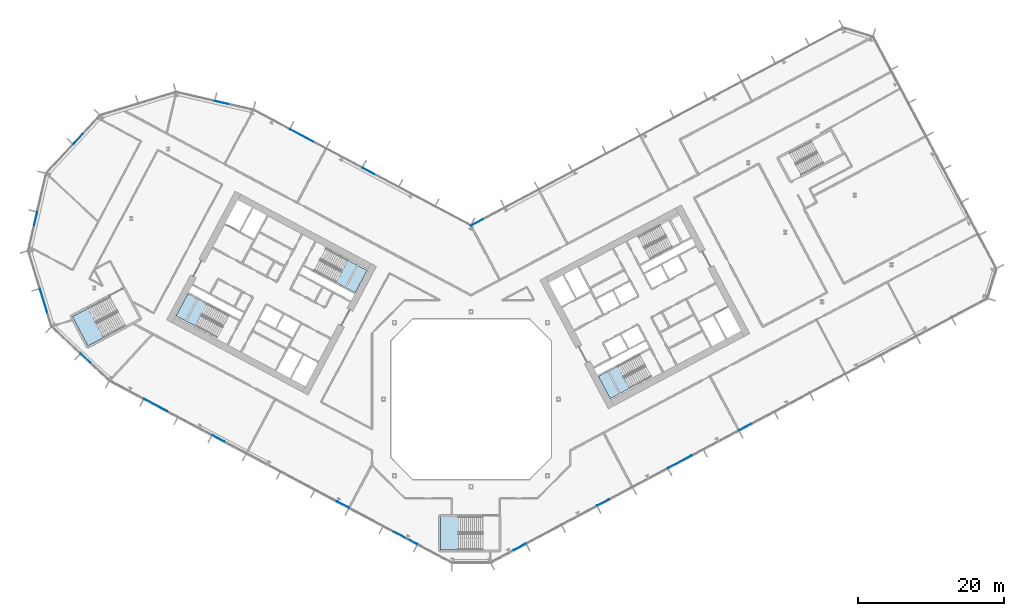
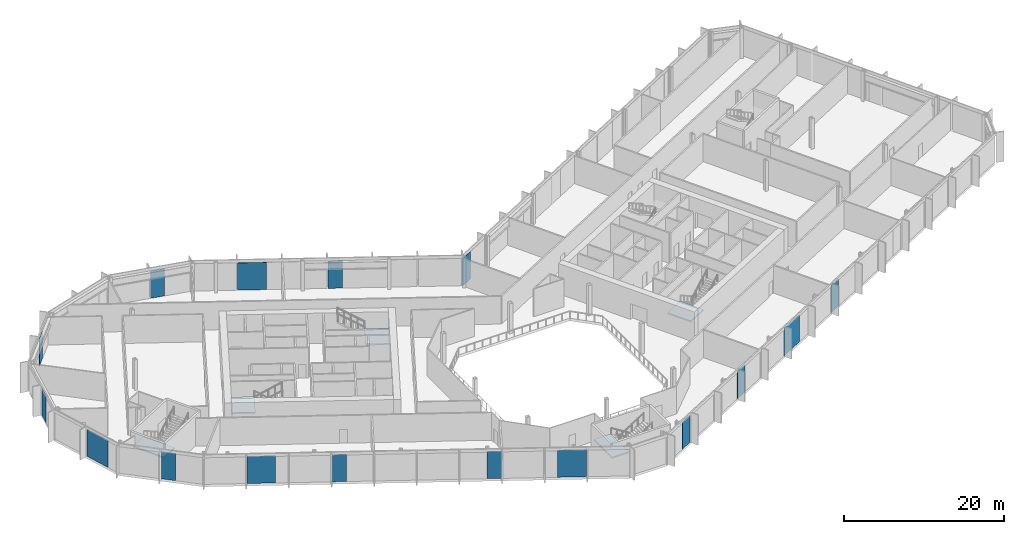
# One storey, part 10 of 31: 16 plates, 5 slabs, 14 elements without a shape of their own.
"""IFC4 building model written with IfcOpenShell, lengths in metres."""

from ifc_helpers import new_model, si_unit, direction, frame, origin, origin_2d, place, context, subcontext, project, spatial, polyline, rectangle, outline, extrude, material, layer, layer_set, type_object, element, aggregate, save


model = new_model("IFC4")

# Units and contexts
model_context = context("Model", 3, precision=1e-05, world=origin(), true_north=direction((0.0, 1.0)))
body_context = subcontext(model_context, "Body", "Model", "MODEL_VIEW")
ifc_project = project(units=[si_unit("LENGTHUNIT", "METRE"), si_unit("AREAUNIT", "SQUARE_METRE"), si_unit("VOLUMEUNIT", "CUBIC_METRE"), si_unit("PLANEANGLEUNIT", "RADIAN"), si_unit("MASSUNIT", "GRAM", prefix="KILO")], contexts=[model_context])

# Site, building, storey
site_placement = place(None, origin())
site = spatial("IfcSite", under=ifc_project, at=site_placement, CompositionType="ELEMENT")
building_placement = place(site_placement, origin())
building = spatial("IfcBuilding", under=site, at=building_placement, Name="Cormorant Relay Tower", CompositionType="ELEMENT")
storey_placement = place(building_placement, frame((0.0, 0.0, 103.0)))
storey = spatial("IfcBuildingStorey", under=building, at=storey_placement, Name="L20", CompositionType="ELEMENT", Elevation=103.0)

# Curtain wall, plates
ifc_material_1 = material(Name="Aluminium 6063-T6 anodised bronze", Category="aluminium")
ifc_layer_1 = layer(ifc_material_1, 0.199951171875)
ifc_layer_set_1 = layer_set([ifc_layer_1], Name="CW1 unitised bronze curtain wall with vertical fins")
curtain_wall_type = type_object("IfcCurtainWallType", Name="CW1 unitised bronze curtain wall with vertical fins", PredefinedType="NOTDEFINED", material=ifc_layer_set_1)
curtain_wall_1_placement = place(storey_placement, origin())
curtain_wall_1 = element("IfcCurtainWall", 1, at=curtain_wall_1_placement, inside=storey, type_object=curtain_wall_type, Name="CW1 curtain wall 2", PredefinedType="NOTDEFINED")
ifc_material_2 = material(Name="Tinted laminated glass", Category="glass")
ifc_layer_2 = layer(ifc_material_2, 0.0400390625)
ifc_layer_set_2 = layer_set([ifc_layer_2], Name="CW1 tinted vision panel 1800 module")
plate_type_1 = type_object("IfcPlateType", Name="CW1 tinted vision panel 1800 module", PredefinedType="CURTAIN_PANEL", material=ifc_layer_set_2)
plate_1_placement = place(storey_placement, frame((6.6640625, -20.26318359375, 0.0), z_axis=(0.0, 0.0, 1.0), x_axis=(0.882947592859, 0.469471562786, 0.0)))
plate_1 = element("IfcPlate", 2, at=plate_1_placement, type_object=plate_type_1, Name="CW1 panel V01", PredefinedType="CURTAIN_PANEL", context=body_context, shape_type="SweptSolid", body=[
    extrude(rectangle(XDim=1.800048828125, YDim=0.0400390625, at=origin_2d()), origin(), (0.0, 0.0, 1.0), 4.14990234375),
])
plate_2_placement = place(storey_placement, frame((18.119140625, -14.172607421875, 0.0), z_axis=(0.0, 0.0, 1.0), x_axis=(0.882947592859, 0.469471562786, 0.0)))
plate_2 = element("IfcPlate", 3, at=plate_2_placement, type_object=plate_type_1, Name="CW1 panel V04", PredefinedType="CURTAIN_PANEL", context=body_context, shape_type="SweptSolid", body=[
    extrude(rectangle(XDim=1.800048828125, YDim=0.0400390625, at=origin_2d()), origin(), (0.0, 0.0, 1.0), 4.14990234375),
])
plate_3_placement = place(storey_placement, frame((37.585693359375, -3.822021484375, 0.0), z_axis=(0.0, 0.0, 1.0), x_axis=(0.882947592859, 0.469471562786, 0.0)))
plate_3 = element("IfcPlate", 4, at=plate_3_placement, type_object=plate_type_1, Name="CW1 panel V08", PredefinedType="CURTAIN_PANEL", context=body_context, shape_type="SweptSolid", body=[
    extrude(rectangle(XDim=1.800048828125, YDim=0.0400390625, at=origin_2d()), origin(), (0.0, 0.0, 1.0), 4.14990234375),
])

# Curtain wall, plate
curtain_wall_2_placement = place(storey_placement, origin())
curtain_wall_2 = element("IfcCurtainWall", 5, at=curtain_wall_2_placement, inside=storey, type_object=curtain_wall_type, Name="CW1 curtain wall 6", PredefinedType="NOTDEFINED")
plate_4_placement = place(storey_placement, frame((0.785400390625, 24.22412109375, 0.0), z_axis=(0.0, 0.0, 1.0), x_axis=(-0.882947592859, -0.469471562786, 0.0)))
plate_4 = element("IfcPlate", 6, at=plate_4_placement, type_object=plate_type_1, Name="CW1 panel V10", PredefinedType="CURTAIN_PANEL", context=body_context, shape_type="SweptSolid", body=[
    extrude(rectangle(XDim=1.800048828125, YDim=0.0400390625, at=origin_2d()), origin(), (0.0, 0.0, 1.0), 4.14990234375),
])
aggregate(curtain_wall_2, [plate_4])

curtain_wall_3_placement = place(storey_placement, origin())
curtain_wall_3 = element("IfcCurtainWall", 7, at=curtain_wall_3_placement, inside=storey, type_object=curtain_wall_type, Name="CW1 curtain wall 7", PredefinedType="NOTDEFINED")
plate_5_placement = place(storey_placement, frame((-14.066650390625, 31.285888671875, 0.0), z_axis=(0.0, 0.0, 1.0), x_axis=(-0.882947592859, 0.469471562786, 0.0)))
plate_5 = element("IfcPlate", 8, at=plate_5_placement, type_object=plate_type_1, Name="CW1 panel V02", PredefinedType="CURTAIN_PANEL", context=body_context, shape_type="SweptSolid", body=[
    extrude(rectangle(XDim=1.800048828125, YDim=0.0400390625, at=origin_2d()), origin(), (0.0, 0.0, 1.0), 4.14990234375),
])

curtain_wall_4_placement = place(storey_placement, origin())
curtain_wall_4 = element("IfcCurtainWall", 9, at=curtain_wall_4_placement, inside=storey, type_object=curtain_wall_type, Name="CW1 curtain wall 8", PredefinedType="NOTDEFINED")
plate_6_placement = place(storey_placement, frame((-34.215087890625, 40.69091796875, 0.0), z_axis=(0.0, 0.0, 1.0), x_axis=(-0.974370064785, 0.224951054344, 0.0)))
plate_6 = element("IfcPlate", 10, at=plate_6_placement, type_object=plate_type_1, Name="CW1 panel V01", PredefinedType="CURTAIN_PANEL", context=body_context, shape_type="SweptSolid", body=[
    extrude(rectangle(XDim=1.800048828125, YDim=0.0400390625, at=origin_2d()), origin(), (0.0, 0.0, 1.0), 4.14990234375),
])
aggregate(curtain_wall_4, [plate_6])

curtain_wall_5_placement = place(storey_placement, origin())
curtain_wall_5 = element("IfcCurtainWall", 11, at=curtain_wall_5_placement, inside=storey, type_object=curtain_wall_type, Name="CW1 curtain wall 10", PredefinedType="NOTDEFINED")
plate_7_placement = place(storey_placement, frame((-53.91748046875, 35.68701171875, 0.0), z_axis=(0.0, 0.0, 1.0), x_axis=(-0.681998360062, -0.731353701619, 0.0)))
plate_7 = element("IfcPlate", 12, at=plate_7_placement, type_object=plate_type_1, Name="CW1 panel V01", PredefinedType="CURTAIN_PANEL", context=body_context, shape_type="SweptSolid", body=[
    extrude(rectangle(XDim=1.800048828125, YDim=0.0400390625, at=origin_2d()), origin(), (0.0, 0.0, 1.0), 4.14990234375),
])
aggregate(curtain_wall_5, [plate_7])

curtain_wall_6_placement = place(storey_placement, origin())
curtain_wall_6 = element("IfcCurtainWall", 13, at=curtain_wall_6_placement, inside=storey, type_object=curtain_wall_type, Name="CW1 curtain wall 11", PredefinedType="NOTDEFINED")
plate_8_placement = place(storey_placement, frame((-59.736083984375, 24.74365234375, 0.0), z_axis=(0.0, 0.0, 1.0), x_axis=(-0.224951054344, -0.974370064785, 0.0)))
plate_8 = element("IfcPlate", 14, at=plate_8_placement, type_object=plate_type_1, Name="CW1 panel V01", PredefinedType="CURTAIN_PANEL", context=body_context, shape_type="SweptSolid", body=[
    extrude(rectangle(XDim=1.800048828125, YDim=0.0400390625, at=origin_2d()), origin(), (0.0, 0.0, 1.0), 4.14990234375),
])
aggregate(curtain_wall_6, [plate_8])

curtain_wall_7_placement = place(storey_placement, origin())
curtain_wall_7 = element("IfcCurtainWall", 15, at=curtain_wall_7_placement, inside=storey, type_object=curtain_wall_type, Name="CW1 curtain wall 13", PredefinedType="NOTDEFINED")
plate_9_placement = place(storey_placement, frame((-52.8671875, 5.611572265625, 0.0), z_axis=(0.0, 0.0, 1.0), x_axis=(0.731353701619, -0.681998360062, 0.0)))
plate_9 = element("IfcPlate", 16, at=plate_9_placement, type_object=plate_type_1, Name="CW1 panel V01", PredefinedType="CURTAIN_PANEL", context=body_context, shape_type="SweptSolid", body=[
    extrude(rectangle(XDim=1.800048828125, YDim=0.0400390625, at=origin_2d()), origin(), (0.0, 0.0, 1.0), 4.14990234375),
])
aggregate(curtain_wall_7, [plate_9])

# Curtain wall, plates
curtain_wall_8_placement = place(storey_placement, origin())
curtain_wall_8 = element("IfcCurtainWall", 17, at=curtain_wall_8_placement, inside=storey, type_object=curtain_wall_type, Name="CW1 curtain wall 14", PredefinedType="NOTDEFINED")
plate_10_placement = place(storey_placement, frame((-34.6572265625, -5.37890625, 0.0), z_axis=(0.0, 0.0, 1.0), x_axis=(0.882947592859, -0.469471562786, 0.0)))
plate_10 = element("IfcPlate", 18, at=plate_10_placement, type_object=plate_type_1, Name="CW1 panel V03", PredefinedType="CURTAIN_PANEL", context=body_context, shape_type="SweptSolid", body=[
    extrude(rectangle(XDim=1.800048828125, YDim=0.0400390625, at=origin_2d()), origin(), (0.0, 0.0, 1.0), 4.14990234375),
])
plate_11_placement = place(storey_placement, frame((-17.601806640625, -14.447509765625, 0.0), z_axis=(0.0, 0.0, 1.0), x_axis=(0.882947592859, -0.469471562786, 0.0)))
plate_11 = element("IfcPlate", 19, at=plate_11_placement, type_object=plate_type_1, Name="CW1 panel V06", PredefinedType="CURTAIN_PANEL", context=body_context, shape_type="SweptSolid", body=[
    extrude(rectangle(XDim=1.800048828125, YDim=0.0400390625, at=origin_2d()), origin(), (0.0, 0.0, 1.0), 4.14990234375),
])

# Plate
ifc_material_3 = material(Name="Tinted laminated glass", Category="glass")
ifc_layer_3 = layer(ifc_material_3, 0.0400390625)
ifc_layer_set_3 = layer_set([ifc_layer_3], Name="CW1 tinted vision panel 3600 module")
plate_type_2 = type_object("IfcPlateType", Name="CW1 tinted vision panel 3600 module", PredefinedType="CURTAIN_PANEL", material=ifc_layer_set_3)
plate_12_placement = place(storey_placement, frame((28.647216796875, -8.57470703125, 0.0), z_axis=(0.0, 0.0, 1.0), x_axis=(0.882947592859, 0.469471562786, 0.0)))
plate_12 = element("IfcPlate", 20, at=plate_12_placement, type_object=plate_type_2, Name="CW1 panel V06", PredefinedType="CURTAIN_PANEL", context=body_context, shape_type="SweptSolid", body=[
    extrude(rectangle(XDim=3.60009765625, YDim=0.0400390625, at=origin_2d()), origin(), (0.0, 0.0, 1.0), 4.14990234375),
])

aggregate(curtain_wall_1, [plate_1, plate_2, plate_12, plate_3])

plate_13_placement = place(storey_placement, frame((-23.22998046875, 36.158203125, 0.0), z_axis=(0.0, 0.0, 1.0), x_axis=(-0.882947592859, 0.469471562786, 0.0)))
plate_13 = element("IfcPlate", 21, at=plate_13_placement, type_object=plate_type_2, Name="CW1 panel V04", PredefinedType="CURTAIN_PANEL", context=body_context, shape_type="SweptSolid", body=[
    extrude(rectangle(XDim=3.60009765625, YDim=0.0400390625, at=origin_2d()), origin(), (0.0, 0.0, 1.0), 4.14990234375),
])

aggregate(curtain_wall_3, [plate_5, plate_13])

# Curtain wall, plate
curtain_wall_9_placement = place(storey_placement, origin())
curtain_wall_9 = element("IfcCurtainWall", 22, at=curtain_wall_9_placement, inside=storey, type_object=curtain_wall_type, Name="CW1 curtain wall 12", PredefinedType="NOTDEFINED")
plate_14_placement = place(storey_placement, frame((-58.601806640625, 13.396728515625, 0.0), z_axis=(0.0, 0.0, 1.0), x_axis=(0.292371704723, -0.956304755963, 0.0)))
plate_14 = element("IfcPlate", 23, at=plate_14_placement, type_object=plate_type_2, Name="CW1 panel V01", PredefinedType="CURTAIN_PANEL", context=body_context, shape_type="SweptSolid", body=[
    extrude(rectangle(XDim=3.60009765625, YDim=0.0400390625, at=origin_2d()), origin(), (0.0, 0.0, 1.0), 4.14990234375),
])
aggregate(curtain_wall_9, [plate_14])

# Plate
plate_15_placement = place(storey_placement, frame((-43.251220703125, -0.8095703125, 0.0), z_axis=(0.0, 0.0, 1.0), x_axis=(0.882947592859, -0.469471562786, 0.0)))
plate_15 = element("IfcPlate", 24, at=plate_15_placement, type_object=plate_type_2, Name="CW1 panel V01", PredefinedType="CURTAIN_PANEL", context=body_context, shape_type="SweptSolid", body=[
    extrude(rectangle(XDim=3.60009765625, YDim=0.0400390625, at=origin_2d()), origin(), (0.0, 0.0, 1.0), 4.14990234375),
])

plate_16_placement = place(storey_placement, frame((-9.008056640625, -19.01708984375, 0.0), z_axis=(0.0, 0.0, 1.0), x_axis=(0.882947592859, -0.469471562786, 0.0)))
plate_16 = element("IfcPlate", 25, at=plate_16_placement, type_object=plate_type_2, Name="CW1 panel V08", PredefinedType="CURTAIN_PANEL", context=body_context, shape_type="SweptSolid", body=[
    extrude(rectangle(XDim=3.60009765625, YDim=0.0400390625, at=origin_2d()), origin(), (0.0, 0.0, 1.0), 4.14990234375),
])

aggregate(curtain_wall_8, [plate_15, plate_10, plate_11, plate_16])

# Stair, slab
ifc_material_4 = material(Name="Concrete 40 MPa", Category="concrete")
stair_type_1 = type_object("IfcStairType", Name="Exit stair 1500", PredefinedType="HALF_TURN_STAIR", material=ifc_material_4)
stair_1_placement = place(storey_placement, origin())
stair_1 = element("IfcStair", 26, at=stair_1_placement, inside=storey, type_object=stair_type_1, Name="L20 Stair", PredefinedType="HALF_TURN_STAIR")
ifc_material_5 = material(Name="Concrete 40 MPa", Category="concrete")
ifc_layer_4 = layer(ifc_material_5, 0.199951171875)
ifc_layer_set_4 = layer_set([ifc_layer_4], Name="Exit stair landing 200")
slab_type = type_object("IfcSlabType", Name="Exit stair landing 200", PredefinedType="LANDING", material=ifc_layer_set_4)
slab_1_placement = place(storey_placement, frame((0.0, 0.0, 2.10009765625)))
slab_1 = element("IfcSlab", 27, at=slab_1_placement, type_object=slab_type, Name="A1 landing 1", PredefinedType="LANDING", context=body_context, shape_type="SweptSolid", body=[
    extrude(outline(polyline([(-18.534912109375, 16.02783203125), (-15.89501953125, 14.6240234375), (-14.275390625, 17.670166015625), (-16.915283203125, 19.073974609375), (-18.534912109375, 16.02783203125)])), origin(), (0.0, 0.0, 1.0), 0.199951171875),
])
aggregate(stair_1, [slab_1])

stair_2_placement = place(storey_placement, origin())
stair_2 = element("IfcStair", 28, at=stair_2_placement, inside=storey, type_object=stair_type_1, Name="L20 Stair", PredefinedType="HALF_TURN_STAIR")
slab_2_placement = place(storey_placement, frame((0.0, 0.0, 2.10009765625)))
slab_2 = element("IfcSlab", 29, at=slab_2_placement, type_object=slab_type, Name="A2 landing 1", PredefinedType="LANDING", context=body_context, shape_type="SweptSolid", body=[
    extrude(outline(polyline([(-36.207763671875, 13.07958984375), (-38.84765625, 14.483154296875), (-40.467529296875, 11.43701171875), (-37.827392578125, 10.033447265625), (-36.207763671875, 13.07958984375)])), origin(), (0.0, 0.0, 1.0), 0.199951171875),
])
aggregate(stair_2, [slab_2])

stair_3_placement = place(storey_placement, origin())
stair_3 = element("IfcStair", 30, at=stair_3_placement, inside=storey, type_object=stair_type_1, Name="L20 Stair", PredefinedType="HALF_TURN_STAIR")
slab_3_placement = place(storey_placement, frame((0.0, 0.0, 2.10009765625)))
slab_3 = element("IfcSlab", 31, at=slab_3_placement, type_object=slab_type, Name="B1 landing 1", PredefinedType="LANDING", context=body_context, shape_type="SweptSolid", body=[
    extrude(outline(polyline([(20.120361328125, 4.525634765625), (17.48046875, 3.1220703125), (19.10009765625, 0.075927734375), (21.740234375, 1.4794921875), (20.120361328125, 4.525634765625)])), origin(), (0.0, 0.0, 1.0), 0.199951171875),
])
aggregate(stair_3, [slab_3])

ifc_material_6 = material(Name="Concrete 40 MPa", Category="concrete")
stair_type_2 = type_object("IfcStairType", Name="Remote exit stair 2200", PredefinedType="HALF_TURN_STAIR", material=ifc_material_6)
stair_4_placement = place(storey_placement, origin())
stair_4 = element("IfcStair", 32, at=stair_4_placement, inside=storey, type_object=stair_type_2, Name="L20 Stair", PredefinedType="HALF_TURN_STAIR")
slab_4_placement = place(storey_placement, frame((0.0, 0.0, 2.10009765625)))
slab_4 = element("IfcSlab", 33, at=slab_4_placement, type_object=slab_type, Name="RK1 landing 1", PredefinedType="LANDING", context=body_context, shape_type="SweptSolid", body=[
    extrude(outline(polyline([(-1.760009765625, -16.125), (-4.199951171875, -16.125), (-4.199951171875, -20.675048828125), (-1.760009765625, -20.675048828125), (-1.760009765625, -16.125)])), origin(), (0.0, 0.0, 1.0), 0.199951171875),
])
aggregate(stair_4, [slab_4])

stair_5_placement = place(storey_placement, origin())
stair_5 = element("IfcStair", 34, at=stair_5_placement, inside=storey, type_object=stair_type_2, Name="L20 Stair", PredefinedType="HALF_TURN_STAIR")
slab_5_placement = place(storey_placement, frame((0.0, 0.0, 2.10009765625)))
slab_5 = element("IfcSlab", 35, at=slab_5_placement, type_object=slab_type, Name="RP1 landing 1", PredefinedType="LANDING", context=body_context, shape_type="SweptSolid", body=[
    extrude(outline(polyline([(-52.54541015625, 12.476318359375), (-54.699951171875, 11.330810546875), (-52.563720703125, 7.3134765625), (-50.409423828125, 8.458984375), (-52.54541015625, 12.476318359375)])), origin(), (0.0, 0.0, 1.0), 0.199951171875),
])
aggregate(stair_5, [slab_5])

save(model, "model.ifc")
